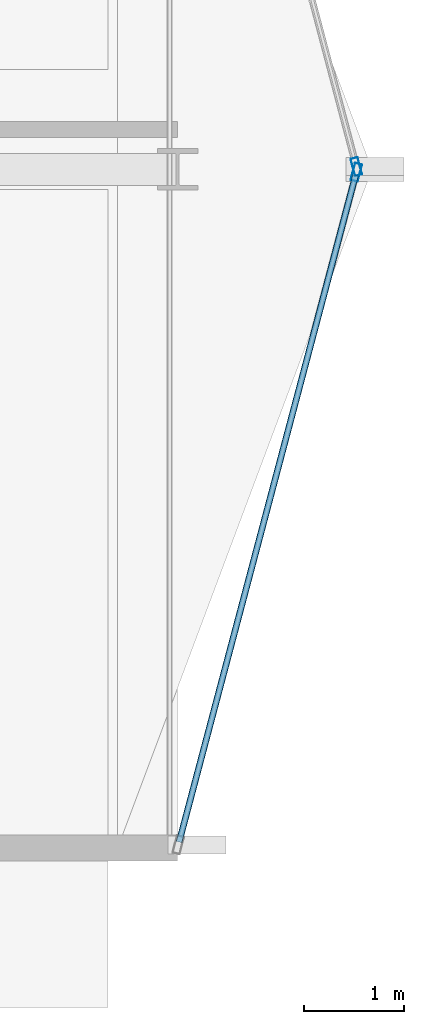
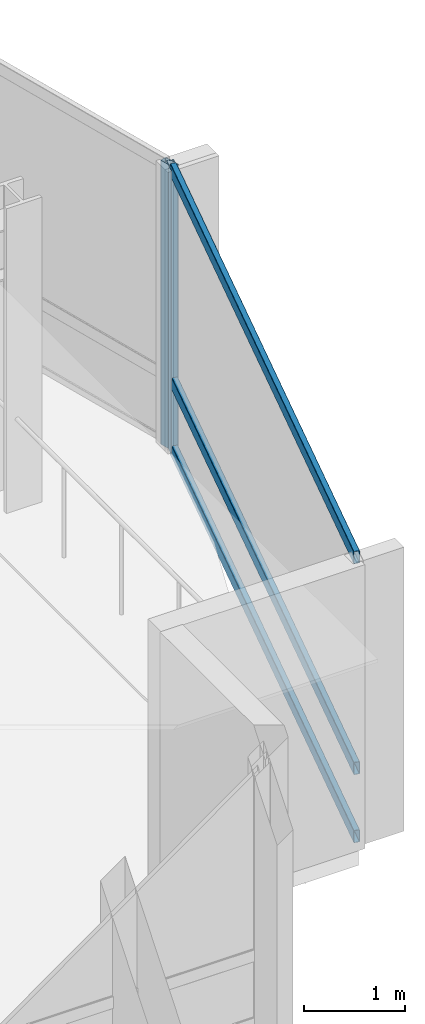
# One storey, part 11 of 27: 5 members, 2 elements without a shape of their own.
"""IFC4 building model written with IfcOpenShell, lengths in metres."""

from ifc_helpers import new_model, si_unit, direction, frame, origin, origin_2d, place, context, subcontext, project, spatial, hollow_rectangle, extrude, material, layer, layer_set, material_profile, profile_set, type_object, element, aggregate, save


model = new_model("IFC4")

# Units and contexts
model_context = context("Model", 3, precision=1e-05, world=origin(), true_north=direction((0.0, 1.0)))
body_context = subcontext(model_context, "Body", "Model", "MODEL_VIEW")
ifc_project = project(units=[si_unit("LENGTHUNIT", "METRE"), si_unit("AREAUNIT", "SQUARE_METRE"), si_unit("VOLUMEUNIT", "CUBIC_METRE"), si_unit("PLANEANGLEUNIT", "RADIAN"), si_unit("MASSUNIT", "GRAM", prefix="KILO")], contexts=[model_context])

# Site, building, storey
site_placement = place(None, origin())
site = spatial("IfcSite", under=ifc_project, at=site_placement, CompositionType="ELEMENT")
building_placement = place(site_placement, origin())
building = spatial("IfcBuilding", under=site, at=building_placement, Name="Solvaryn Broadcast Tower", CompositionType="ELEMENT")
storey_placement = place(building_placement, frame((0.0, 0.0, 177.89990234375)))
storey = spatial("IfcBuildingStorey", under=building, at=storey_placement, Name="L44", CompositionType="ELEMENT", Elevation=177.89990234375)

# Curtain wall, member
ifc_material_1 = material(Name="Aluminium and Terracotta Unitised Curtain Wall", Category="masonry")
ifc_layer = layer(ifc_material_1, 0.199951171875)
ifc_layer_set = layer_set([ifc_layer], Name="CW-SYS2-LOWMID")
curtain_wall_type = type_object("IfcCurtainWallType", Name="CW-SYS2-LOWMID", PredefinedType="NOTDEFINED", material=ifc_layer_set)
curtain_wall_1_placement = place(storey_placement, origin())
curtain_wall_1 = element("IfcCurtainWall", 1, at=curtain_wall_1_placement, inside=storey, type_object=curtain_wall_type, Name="L44 Curtain Wall ET1", PredefinedType="NOTDEFINED")
ifc_material_2 = material(Name="Anodised Aluminium 6063-T6", Category="aluminium")
ifc_material_profile_1 = material_profile(ifc_material_2, hollow_rectangle(XDim=0.074951171875, YDim=0.179931640625, WallThickness=0.00390625, InnerFilletRadius=0.00390625, OuterFilletRadius=0.008056640625, at=origin_2d()))
ifc_profile_set_1 = profile_set([ifc_material_profile_1], Name="Anodised Aluminium 6063-T6")
member_type_1 = type_object("IfcMemberType", Name="CW-MUL-180", PredefinedType="MULLION", material=ifc_profile_set_1)
member_1_placement = place(storey_placement, frame((55.792236328125, 18.029052734375, 0.0), z_axis=(0.0, 0.0, 1.0), x_axis=(0.966705227863, 0.25589256031, 0.0)))
member_1 = element("IfcMember", 2, at=member_1_placement, type_object=member_type_1, Name="CWS2 mullion 2", PredefinedType="MULLION", context=body_context, shape_type="SweptSolid", body=[
    extrude(hollow_rectangle(XDim=0.074951171875, YDim=0.179931640625, WallThickness=0.00390625, InnerFilletRadius=0.00390625, OuterFilletRadius=0.008056640625, at=origin_2d()), origin(), (0.0, 0.0, 1.0), 3.420166015625),
])
aggregate(curtain_wall_1, [member_1])

# Curtain wall, members
curtain_wall_2_placement = place(storey_placement, origin())
curtain_wall_2 = element("IfcCurtainWall", 3, at=curtain_wall_2_placement, inside=storey, type_object=curtain_wall_type, Name="L44 Curtain Wall ET2", PredefinedType="NOTDEFINED")
member_2_placement = place(storey_placement, frame((55.792236328125, 17.970947265625, 0.0), z_axis=(0.0, 0.0, 1.0), x_axis=(0.966705227863, -0.25589256031, 0.0)))
member_2 = element("IfcMember", 4, at=member_2_placement, type_object=member_type_1, Name="CWS2 mullion 1", PredefinedType="MULLION", context=body_context, shape_type="SweptSolid", body=[
    extrude(hollow_rectangle(XDim=0.074951171875, YDim=0.179931640625, WallThickness=0.00390625, InnerFilletRadius=0.00390625, OuterFilletRadius=0.008056640625, at=origin_2d()), origin(), (0.0, 0.0, 1.0), 3.420166015625),
])
ifc_material_3 = material(Name="Anodised Aluminium 6063-T6", Category="aluminium")
ifc_material_profile_2 = material_profile(ifc_material_3, hollow_rectangle(XDim=0.06494140625, YDim=0.14990234375, WallThickness=0.00390625, InnerFilletRadius=0.00390625, OuterFilletRadius=0.008056640625, at=origin_2d()))
ifc_profile_set_2 = profile_set([ifc_material_profile_2], Name="Anodised Aluminium 6063-T6")
member_type_2 = type_object("IfcMemberType", Name="CW-TRN-150", PredefinedType="USERDEFINED", material=ifc_profile_set_2)
member_3_placement = place(storey_placement, frame((55.78466796875, 17.94189453125, 0.030029296875), z_axis=(-0.255897413051, -0.966703943301, 0.0), x_axis=(0.966703943301, -0.255897413051, 0.0)))
member_3 = element("IfcMember", 5, at=member_3_placement, type_object=member_type_2, Name="CWS2 transom 1.1", ObjectType="TRANSOM", PredefinedType="USERDEFINED", context=body_context, shape_type="SweptSolid", body=[
    extrude(hollow_rectangle(XDim=0.06494140625, YDim=0.14990234375, WallThickness=0.00390625, InnerFilletRadius=0.00390625, OuterFilletRadius=0.008056640625, at=origin_2d()), origin(), (0.0, 0.0, 1.0), 6.9140625),
])
member_4_placement = place(storey_placement, frame((55.78466796875, 17.94189453125, 0.85009765625), z_axis=(-0.255897413051, -0.966703943301, 0.0), x_axis=(0.966703943301, -0.255897413051, 0.0)))
member_4 = element("IfcMember", 6, at=member_4_placement, type_object=member_type_2, Name="CWS2 transom 1.2", ObjectType="TRANSOM", PredefinedType="USERDEFINED", context=body_context, shape_type="SweptSolid", body=[
    extrude(hollow_rectangle(XDim=0.06494140625, YDim=0.14990234375, WallThickness=0.00390625, InnerFilletRadius=0.00390625, OuterFilletRadius=0.008056640625, at=origin_2d()), origin(), (0.0, 0.0, 1.0), 6.9140625),
])
member_5_placement = place(storey_placement, frame((55.78466796875, 17.94189453125, 3.39013671875), z_axis=(-0.255897413051, -0.966703943301, 0.0), x_axis=(0.966703943301, -0.255897413051, 0.0)))
member_5 = element("IfcMember", 7, at=member_5_placement, type_object=member_type_2, Name="CWS2 transom 1.3", ObjectType="TRANSOM", PredefinedType="USERDEFINED", context=body_context, shape_type="SweptSolid", body=[
    extrude(hollow_rectangle(XDim=0.06494140625, YDim=0.14990234375, WallThickness=0.00390625, InnerFilletRadius=0.00390625, OuterFilletRadius=0.008056640625, at=origin_2d()), origin(), (0.0, 0.0, 1.0), 6.9140625),
])
aggregate(curtain_wall_2, [member_2, member_3, member_4, member_5])

save(model, "model.ifc")
